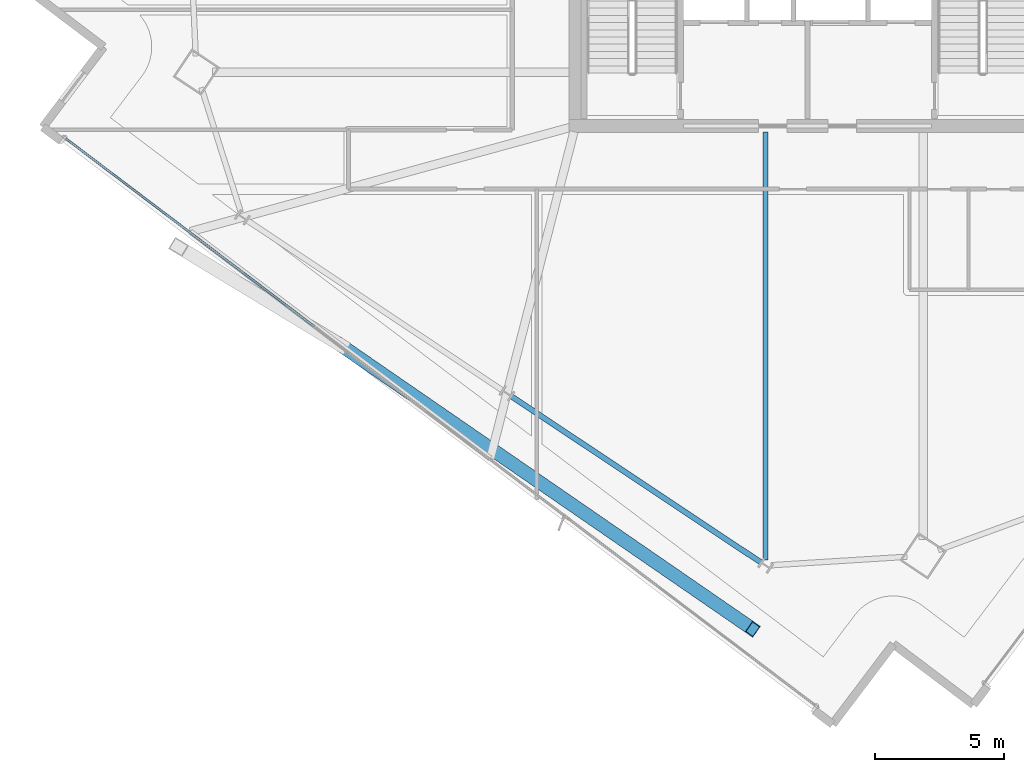
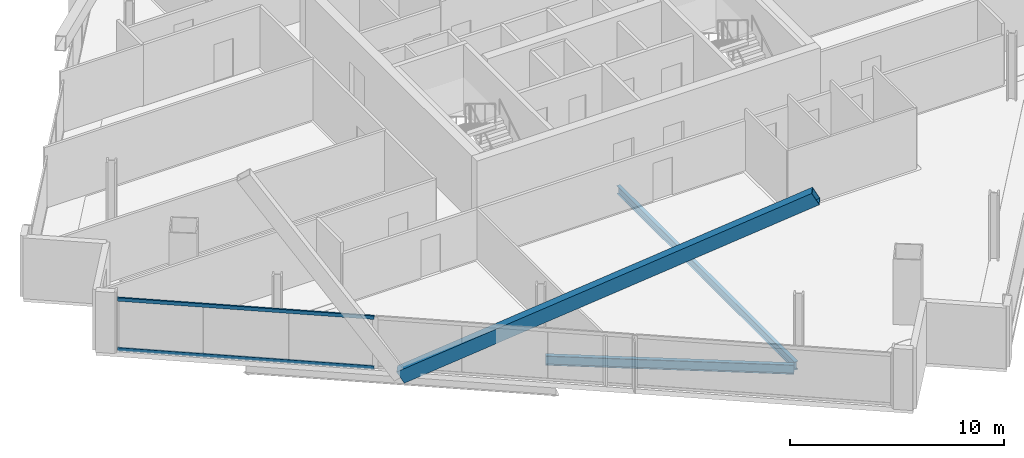
# One storey, part 4 of 34: 3 members, 2 beams, 1 element without a shape of its own.
"""IFC4 building model written with IfcOpenShell, lengths in metres."""

import ifcopenshell
import ifcopenshell.guid

model = None  # the IFC model being written
_history = None  # IfcOwnerHistory: only IFC2X3 demands one
_inside = {}  # id of a spatial element -> (the spatial element, [elements in it])
_under = {}  # id of a project, library or spatial element -> (it, [spatial elements below it])
_declared = {}  # id of a project -> (the project, [libraries it declares])
_typed = {}  # id of a type object -> (the type object, [elements of that type])
_made_of = {}  # id of a material, layer set ... -> (it, [elements and type objects made of it])


def new_model(schema):
    """Start an empty IFC model of exactly this schema.

    Asked for "IFC4X3", IfcOpenShell would pick the latest addendum, in which some entities
    have other attributes; the version numbers below select the first issue.
    IFC2X3 requires an IfcOwnerHistory on every rooted entity: one is made here for all.
    """
    global model, _history
    if schema == "IFC4X3":
        model = ifcopenshell.file(schema_version=(4, 3, 0, 0))
    else:
        model = ifcopenshell.file(schema=schema)
    _inside.clear()
    _under.clear()
    _declared.clear()
    _typed.clear()
    _made_of.clear()
    _history = None
    if model.schema == "IFC2X3":
        org = make("IfcOrganization", Name="unknown")
        user = make(
            "IfcPersonAndOrganization",
            ThePerson=make("IfcPerson", FamilyName="unknown"),
            TheOrganization=org,
        )
        app = make(
            "IfcApplication",
            ApplicationDeveloper=org,
            Version="unknown",
            ApplicationFullName="unknown",
            ApplicationIdentifier="unknown",
        )
        _history = make(
            "IfcOwnerHistory",
            OwningUser=user,
            OwningApplication=app,
            ChangeAction="ADDED",
            CreationDate=0,
        )
    return model


def make(cls, **values):
    """One entity of the class cls with the attributes given. An attribute that is None is left unset."""
    return model.create_entity(
        cls, **{name: value for name, value in values.items() if value is not None}
    )


def rooted(cls, **values):
    """An entity with a GlobalId (a new one), such as an element, a storey or a relation."""
    return make(cls, GlobalId=ifcopenshell.guid.new(), OwnerHistory=_history, **values)


def si_unit(unit_type, name, prefix=None):
    """IfcSIUnit, for example si_unit("LENGTHUNIT", "METRE", prefix="MILLI")."""
    return make("IfcSIUnit", UnitType=unit_type, Prefix=prefix, Name=name)


def assignment(units):
    """IfcUnitAssignment: the units of a project."""
    return None if units is None else make("IfcUnitAssignment", Units=units)


def point(xyz):
    """IfcCartesianPoint."""
    return None if xyz is None else make("IfcCartesianPoint", Coordinates=xyz)


def direction(xyz):
    """IfcDirection."""
    return None if xyz is None else make("IfcDirection", DirectionRatios=xyz)


def frame(location, z_axis=None, x_axis=None):
    """IfcAxis2Placement3D, a coordinate frame: its origin and axes. An axis left out is left unset."""
    return make(
        "IfcAxis2Placement3D",
        Location=point(location),
        Axis=direction(z_axis),
        RefDirection=direction(x_axis),
    )


def frame_2d(location, x_axis=None):
    """IfcAxis2Placement2D, a coordinate frame in the plane: its origin and x axis."""
    return make(
        "IfcAxis2Placement2D", Location=point(location), RefDirection=direction(x_axis)
    )


def origin():
    """The frame at (0, 0, 0) with its axes left unset."""
    return frame((0.0, 0.0, 0.0))


def origin_2d():
    """The frame at (0, 0) in the plane with its x axis left unset."""
    return frame_2d((0.0, 0.0))


def place(relative_to, where):
    """IfcLocalPlacement: puts the frame where relative to a parent placement (None: the world)."""
    return make(
        "IfcLocalPlacement", PlacementRelTo=relative_to, RelativePlacement=where
    )


def context(
    kind, dimensions, precision=None, world=None, true_north=None, identifier=None
):
    """IfcGeometricRepresentationContext, for example the 3D "Model" context."""
    return make(
        "IfcGeometricRepresentationContext",
        ContextIdentifier=identifier,
        ContextType=kind,
        CoordinateSpaceDimension=dimensions,
        Precision=precision,
        WorldCoordinateSystem=world,
        TrueNorth=true_north,
    )


def subcontext(parent, identifier, kind, view, scale=None):
    """IfcGeometricRepresentationSubContext, for example "Body" below "Model"."""
    return make(
        "IfcGeometricRepresentationSubContext",
        ContextIdentifier=identifier,
        ContextType=kind,
        ParentContext=parent,
        TargetScale=scale,
        TargetView=view,
    )


def project(units=None, contexts=None):
    """IfcProject with its units and contexts."""
    return rooted(
        "IfcProject",
        Name="project",
        RepresentationContexts=contexts,
        UnitsInContext=assignment(units),
    )


def spatial(cls, under=None, at=None, **own):
    """A site, building, storey or space (cls), placed at a placement, below another one or the project."""
    s = rooted(cls, ObjectPlacement=at, **own)
    if under is not None:
        _under.setdefault(under.id(), (under, []))[1].append(s)
    return s


def profile(cls, at=None, kind="AREA", **sizes):
    """A parametric profile (cls). Its sizes go by their IFC names, for example OverallWidth=200.0."""
    return make(cls, ProfileType=kind, Position=at, **sizes)


def hollow_rectangle(**sizes):
    """IfcRectangleHollowProfileDef."""
    return profile("IfcRectangleHollowProfileDef", **sizes)


def i_section(**sizes):
    """IfcIShapeProfileDef."""
    return profile("IfcIShapeProfileDef", **sizes)


def extrude(swept, where, along, depth):
    """IfcExtrudedAreaSolid: the profile swept, set in the frame where, extruded along a direction by depth."""
    return make(
        "IfcExtrudedAreaSolid",
        SweptArea=swept,
        Position=where,
        ExtrudedDirection=direction(along),
        Depth=depth,
    )


def shape(context_of_items, identifier, shape_type, items):
    """IfcShapeRepresentation: the items that make up one representation, for example the "Body"."""
    return make(
        "IfcShapeRepresentation",
        ContextOfItems=context_of_items,
        RepresentationIdentifier=identifier,
        RepresentationType=shape_type,
        Items=items,
    )


def material(Name=None, Category=None):
    """IfcMaterial."""
    return make("IfcMaterial", Name=Name, Category=Category)


def material_profile(
    of_material, cross_section, Name=None, Category=None, Priority=None
):
    """IfcMaterialProfile: a cross section and its material."""
    return make(
        "IfcMaterialProfile",
        Name=Name,
        Material=of_material,
        Profile=cross_section,
        Priority=Priority,
        Category=Category,
    )


def profile_set(profiles, Name=None, composite=None):
    """IfcMaterialProfileSet."""
    return make(
        "IfcMaterialProfileSet",
        Name=Name,
        MaterialProfiles=profiles,
        CompositeProfile=composite,
    )


def made_of(thing, what):
    """Note that an element or type object is made of a material, layer set ...; save() writes the relation."""
    if what is not None:
        _made_of.setdefault(what.id(), (what, []))[1].append(thing)
    return thing


def type_object(cls, material=None, **own):
    """A type object (cls), such as IfcWallType, which elements share."""
    return made_of(rooted(cls, **own), material)


def element(
    cls,
    number,
    at=None,
    inside=None,
    cuts=None,
    type_object=None,
    material=None,
    context=None,
    identifier="Body",
    shape_type=None,
    held_by="IfcProductDefinitionShape",
    body=None,
    shapes=None,
    **own,
):
    """One element of the class cls, such as IfcWall. Its Tag is "e" and its number.

    at: its placement. inside: the storey or other place that contains it. cuts: it is an
    opening in that element (IfcRelVoidsElement). A single representation is given by context,
    identifier, shape_type and body (its items); several are given by shapes. held_by: the class
    of the entity that holds the representations. save() writes the other relations.
    """
    e = rooted(cls, Tag="e%d" % number, ObjectPlacement=at, **own)
    if body is not None:
        shapes = [shape(context, identifier, shape_type, body)]
    if shapes is not None:
        e.Representation = make(held_by, Representations=shapes)
    if inside is not None:
        _inside.setdefault(inside.id(), (inside, []))[1].append(e)
    if cuts is not None:
        rooted(
            "IfcRelVoidsElement", RelatingBuildingElement=cuts, RelatedOpeningElement=e
        )
    if type_object is not None:
        _typed.setdefault(type_object.id(), (type_object, []))[1].append(e)
    return made_of(e, material)


def aggregate(whole, parts):
    """IfcRelAggregates: a whole, such as a stair, and the parts it consists of."""
    return rooted("IfcRelAggregates", RelatingObject=whole, RelatedObjects=parts)


def save(model, path):
    """Write the relations noted so far, then the file.

    IfcRelAggregates (storeys below a building ...), IfcRelContainedInSpatialStructure (elements
    in a storey), IfcRelDefinesByType, IfcRelAssociatesMaterial and IfcRelDeclares: one each for
    every whole, place, type object, material and project.
    """
    for whole, parts in _under.values():
        aggregate(whole, parts)
    for where, things in _inside.values():
        rooted(
            "IfcRelContainedInSpatialStructure",
            RelatedElements=things,
            RelatingStructure=where,
        )
    for kind, things in _typed.values():
        rooted("IfcRelDefinesByType", RelatedObjects=things, RelatingType=kind)
    for what, things in _made_of.values():
        rooted("IfcRelAssociatesMaterial", RelatedObjects=things, RelatingMaterial=what)
    for by, libraries in _declared.values():
        rooted("IfcRelDeclares", RelatingContext=by, RelatedDefinitions=libraries)
    model.write(path)


model = new_model("IFC4")

# Units and contexts
model_context = context("Model", 3, precision=1e-05, world=origin(), true_north=direction((0.0, 1.0)))
body_context = subcontext(model_context, "Body", "Model", "MODEL_VIEW")
ifc_project = project(units=[si_unit("LENGTHUNIT", "METRE"), si_unit("AREAUNIT", "SQUARE_METRE"), si_unit("VOLUMEUNIT", "CUBIC_METRE"), si_unit("PLANEANGLEUNIT", "RADIAN"), si_unit("MASSUNIT", "GRAM", prefix="KILO")], contexts=[model_context])

# Site, building, storey
site_placement = place(None, origin())
site = spatial("IfcSite", under=ifc_project, at=site_placement, CompositionType="ELEMENT")
building_placement = place(site_placement, origin())
building = spatial("IfcBuilding", under=site, at=building_placement, Name="Haldenkirk Collegiate Tower", CompositionType="ELEMENT")
storey_placement = place(building_placement, frame((0.0, 0.0, 205.949951171875)))
storey = spatial("IfcBuildingStorey", under=building, at=storey_placement, Name="L51", CompositionType="ELEMENT", Elevation=205.949951171875)

# Beams
ifc_material_1 = material(Name="Steel ASTM A992 Grade 50", Category="steel")
ifc_material_profile_1 = material_profile(ifc_material_1, i_section(OverallWidth=0.18994140625, OverallDepth=0.45703125, WebThickness=0.009033203125, FlangeThickness=0.014404296875, at=origin_2d()), Name="W18X50")
ifc_profile_set_1 = profile_set([ifc_material_profile_1], Name="Steel ASTM A992 Grade 50")
beam_type_1 = type_object("IfcBeamType", Name="BM-JOIST-W18X50", PredefinedType="JOIST", material=ifc_profile_set_1)
beam_1_placement = place(storey_placement, frame((34.376708984375, 1.16943359375, -0.508544921875), z_axis=(0.0, 1.0, 0.0), x_axis=(-1.0, 0.0, 0.0)))
element("IfcBeam", 1, at=beam_1_placement, inside=storey, type_object=beam_type_1, Name="L51 composite floor joist 16", PredefinedType="JOIST", context=body_context, shape_type="SweptSolid", body=[
    extrude(i_section(OverallWidth=0.18994140625, OverallDepth=0.45703125, WebThickness=0.009033203125, FlangeThickness=0.014404296875, at=origin_2d()), origin(), (0.0, 0.0, 1.0), 16.6005859375),
])
ifc_material_profile_2 = material_profile(ifc_material_1, i_section(OverallWidth=0.2099609375, OverallDepth=0.537109375, WebThickness=0.010986328125, FlangeThickness=0.017333984375, at=origin_2d()), Name="W21X68")
ifc_profile_set_2 = profile_set([ifc_material_profile_2], Name="Steel ASTM A992 Grade 50")
beam_type_2 = type_object("IfcBeamType", Name="BM-SPANDREL-W21X68", PredefinedType="SPANDREL", material=ifc_profile_set_2)
beam_2_placement = place(storey_placement, frame((24.52392578125, 7.510986328125, -0.54833984375), z_axis=(0.832441238083, -0.554113332395, 0.0), x_axis=(0.554113332395, 0.832441238083, 0.0)))
element("IfcBeam", 2, at=beam_2_placement, inside=storey, type_object=beam_type_2, Name="L51 perimeter spandrel beam 15", PredefinedType="SPANDREL", context=body_context, shape_type="SweptSolid", body=[
    extrude(i_section(OverallWidth=0.2099609375, OverallDepth=0.537109375, WebThickness=0.010986328125, FlangeThickness=0.017333984375, at=origin_2d()), origin(), (0.0, 0.0, 1.0), 11.618896484375),
])

# Curtain wall, members
ifc_material_2 = material(Name="Anodised architectural bronze aluminium", Category="aluminium")
curtain_wall_type = type_object("IfcCurtainWallType", Name="CW-SYS1B-CONVEX-HI", PredefinedType="USERDEFINED", material=ifc_material_2)
curtain_wall_placement = place(storey_placement, origin())
curtain_wall = element("IfcCurtainWall", 3, at=curtain_wall_placement, inside=storey, type_object=curtain_wall_type, Name="L51 Upper tower high-wind convex bronze unitised curtain wall", ObjectType="UNITISED CURTAIN WALL", PredefinedType="USERDEFINED")
ifc_material_profile_3 = material_profile(ifc_material_2, hollow_rectangle(XDim=0.0849609375, YDim=0.199951171875, WallThickness=0.0048828125, at=origin_2d()), Name="CW-TRN-1B")
ifc_profile_set_3 = profile_set([ifc_material_profile_3], Name="Anodised architectural bronze aluminium")
member_type_1 = type_object("IfcMemberType", Name="CW-TRN-1B", PredefinedType="USERDEFINED", material=ifc_profile_set_3)
member_1_placement = place(storey_placement, frame((16.87060546875, 10.226318359375, 0.04248046875), z_axis=(-0.797586241756, 0.60320492949, 0.0), x_axis=(-0.60320492949, -0.797586241756, 0.0)))
member_1 = element("IfcMember", 4, at=member_1_placement, type_object=member_type_1, Name="CW-1B transom 3.1", ObjectType="TRANSOM", PredefinedType="USERDEFINED", context=body_context, shape_type="SweptSolid", body=[
    extrude(hollow_rectangle(XDim=0.0849609375, YDim=0.199951171875, WallThickness=0.0048828125, at=origin_2d()), origin(), (0.0, 0.0, 1.0), 12.072509765625),
])
member_2_placement = place(storey_placement, frame((16.87060546875, 10.226318359375, 2.885498046875), z_axis=(-0.797586241756, 0.60320492949, 0.0), x_axis=(-0.60320492949, -0.797586241756, 0.0)))
member_2 = element("IfcMember", 5, at=member_2_placement, type_object=member_type_1, Name="CW-1B transom 3.2", ObjectType="TRANSOM", PredefinedType="USERDEFINED", context=body_context, shape_type="SweptSolid", body=[
    extrude(hollow_rectangle(XDim=0.0849609375, YDim=0.199951171875, WallThickness=0.0048828125, at=origin_2d()), origin(), (0.0, 0.0, 1.0), 12.072509765625),
])
aggregate(curtain_wall, [member_1, member_2])

# Member
ifc_material_3 = material(Name="Steel ASTM A572 Grade 50", Category="steel")
ifc_material_profile_4 = material_profile(ifc_material_3, hollow_rectangle(XDim=0.52001953125, YDim=0.719970703125, WallThickness=0.035888671875, at=origin_2d()), Name="BOX720X520X36")
ifc_profile_set_4 = profile_set([ifc_material_profile_4], Name="Steel ASTM A572 Grade 50")
member_type_2 = type_object("IfcMemberType", Name="MBR-MEGABRACE-BOX720X520X36", PredefinedType="BRACE", material=ifc_profile_set_4)
member_3_placement = place(storey_placement, frame((17.885498046875, 9.508544921875, -0.2900390625), z_axis=(0.712470417393, -0.491089232007, 0.501215792395), x_axis=(0.567521739279, 0.823358412507, 0.0)))
element("IfcMember", 6, at=member_3_placement, inside=storey, type_object=member_type_2, Name="Perimeter Mega Brace Z4 L51-L53 WR", PredefinedType="BRACE", context=body_context, shape_type="SweptSolid", body=[
    extrude(hollow_rectangle(XDim=0.52001953125, YDim=0.719970703125, WallThickness=0.035888671875, at=origin_2d()), origin(), (0.0, 0.0, 1.0), 22.4453125),
])

save(model, "model.ifc")
